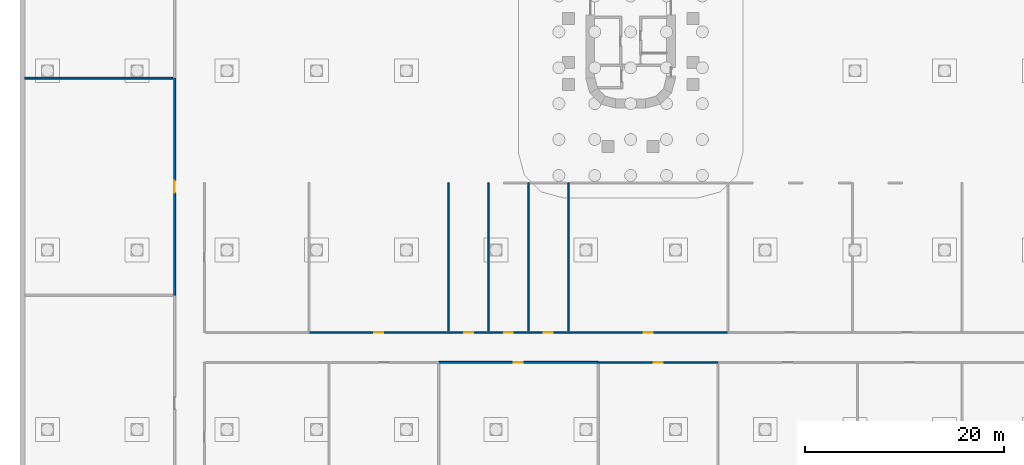
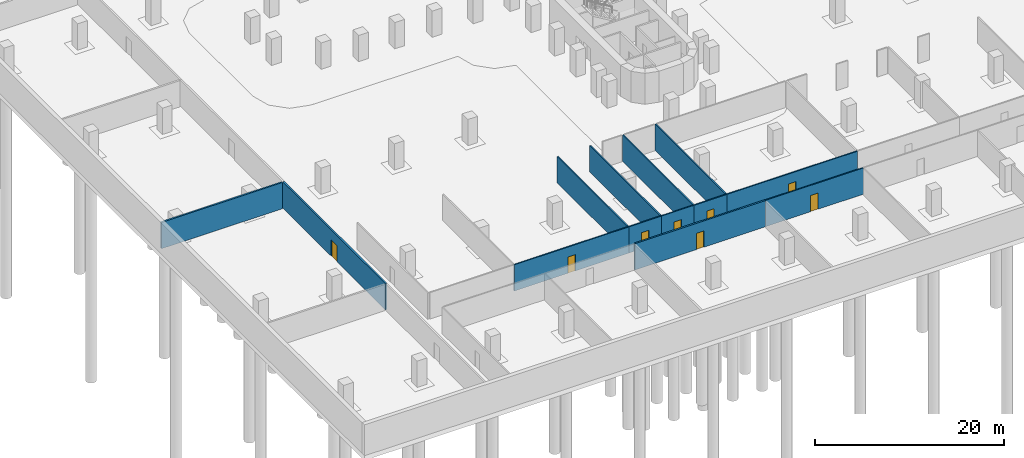
# One storey, part 6 of 14: 13 walls, 8 doors, 8 openings.
"""IFC4 building model written with IfcOpenShell, lengths in metres."""

from ifc_helpers import new_model, si_unit, direction, frame, frame_2d, origin, place, context, subcontext, project, spatial, rectangle, extrude, material, layer, layer_set, type_object, element, fill, save


model = new_model("IFC4")

# Units and contexts
model_context = context("Model", 3, precision=1e-05, world=origin(), true_north=direction((0.0, 1.0)))
body_context = subcontext(model_context, "Body", "Model", "MODEL_VIEW")
ifc_project = project(units=[si_unit("LENGTHUNIT", "METRE"), si_unit("AREAUNIT", "SQUARE_METRE"), si_unit("VOLUMEUNIT", "CUBIC_METRE"), si_unit("PLANEANGLEUNIT", "RADIAN"), si_unit("MASSUNIT", "GRAM", prefix="KILO")], contexts=[model_context])

# Site, building, storey
site_placement = place(None, origin())
site = spatial("IfcSite", under=ifc_project, at=site_placement, CompositionType="ELEMENT")
building_placement = place(site_placement, origin())
building = spatial("IfcBuilding", under=site, at=building_placement, Name="Zarbagh Exchange Tower", CompositionType="ELEMENT")
storey_placement = place(building_placement, frame((0.0, 0.0, -8.0)))
storey = spatial("IfcBuildingStorey", under=building, at=storey_placement, Name="B2", CompositionType="ELEMENT", Elevation=-8.0)

# Wall, opening, door
ifc_material_1 = material(Name="Plasterboard partition")
ifc_layer_1 = layer(ifc_material_1, 0.14990234375)
ifc_layer_set_1 = layer_set([ifc_layer_1], Name="Board partition 150")
wall_type_1 = type_object("IfcWallType", Name="Board partition 150", PredefinedType="PARTITIONING", material=ifc_layer_set_1)
wall_1_placement = place(storey_placement, frame((8.75, -54.75, 0.0), z_axis=(0.0, 0.0, 1.0), x_axis=(-1.0, 0.0, 0.0)))
wall_1 = element("IfcWall", 1, at=wall_1_placement, inside=storey, type_object=wall_type_1, Name="WL-B2-W017", PredefinedType="PARTITIONING", context=body_context, shape_type="SweptSolid", body=[
    extrude(rectangle(XDim=12.0, YDim=0.14990234375, at=frame_2d((6.0, 0.0))), origin(), (0.0, 0.0, 1.0), 3.39990234375),
])
opening_1_placement = place(wall_1_placement, frame((5.550048828125, 0.0, 0.0)))
opening_1 = element("IfcOpeningElement", 2, at=opening_1_placement, cuts=wall_1, Name="Opening D11", PredefinedType="OPENING", context=body_context, shape_type="SweptSolid", body=[
    extrude(rectangle(XDim=0.89990234375, YDim=2.10009765625, at=frame_2d((0.449951171875, 1.050048828125))), frame((0.0, 0.0849609375, 0.0), z_axis=(0.0, -1.0, 0.0), x_axis=(1.0, 0.0, 0.0)), (0.0, 0.0, 1.0), 0.169921875),
])
ifc_material_2 = material(Name="Timber door leaf", Category="wood")
door_type_1 = type_object("IfcDoorType", Name="Door single 900x2100", OperationType="SINGLE_SWING_LEFT", PredefinedType="DOOR", material=ifc_material_2)
door_1_placement = place(opening_1_placement, origin())
door_1 = element("IfcDoor", 3, at=door_1_placement, inside=storey, type_object=door_type_1, Name="D11", OperationType="SINGLE_SWING_LEFT", OverallHeight=2.10009765625, OverallWidth=0.89990234375, PredefinedType="DOOR", context=body_context, shape_type="SweptSolid", body=[
    extrude(rectangle(XDim=0.89990234375, YDim=2.10009765625, at=frame_2d((0.449951171875, 1.050048828125))), frame((0.0, 0.02490234375, 0.0), z_axis=(0.0, -1.0, 0.0), x_axis=(1.0, 0.0, 0.0)), (0.0, 0.0, 1.0), 0.050048828125),
])
fill(opening_1, door_1)

wall_2_placement = place(storey_placement, frame((-32.25, -51.75, 0.0), z_axis=(0.0, 0.0, 1.0), x_axis=(1.0, 0.0, 0.0)))
wall_2 = element("IfcWall", 4, at=wall_2_placement, inside=storey, type_object=wall_type_1, Name="WL-B2-W022", PredefinedType="PARTITIONING", context=body_context, shape_type="SweptSolid", body=[
    extrude(rectangle(XDim=14.0, YDim=0.14990234375, at=frame_2d((7.0, 0.0))), origin(), (0.0, 0.0, 1.0), 3.39990234375),
])
opening_2_placement = place(wall_2_placement, frame((6.550048828125, 0.0, 0.0)))
opening_2 = element("IfcOpeningElement", 5, at=opening_2_placement, cuts=wall_2, Name="Opening D14", PredefinedType="OPENING", context=body_context, shape_type="SweptSolid", body=[
    extrude(rectangle(XDim=0.89990234375, YDim=2.10009765625, at=frame_2d((0.449951171875, 1.050048828125))), frame((0.0, 0.0849609375, 0.0), z_axis=(0.0, -1.0, 0.0), x_axis=(1.0, 0.0, 0.0)), (0.0, 0.0, 1.0), 0.169921875),
])
door_2_placement = place(opening_2_placement, origin())
door_2 = element("IfcDoor", 6, at=door_2_placement, inside=storey, type_object=door_type_1, Name="D14", OperationType="SINGLE_SWING_LEFT", OverallHeight=2.10009765625, OverallWidth=0.89990234375, PredefinedType="DOOR", context=body_context, shape_type="SweptSolid", body=[
    extrude(rectangle(XDim=0.89990234375, YDim=2.10009765625, at=frame_2d((0.449951171875, 1.050048828125))), frame((0.0, 0.02490234375, 0.0), z_axis=(0.0, -1.0, 0.0), x_axis=(1.0, 0.0, 0.0)), (0.0, 0.0, 1.0), 0.050048828125),
])
fill(opening_2, door_2)

wall_3_placement = place(storey_placement, frame((-18.25, -51.75, 0.0), z_axis=(0.0, 0.0, 1.0), x_axis=(1.0, 0.0, 0.0)))
wall_3 = element("IfcWall", 7, at=wall_3_placement, inside=storey, type_object=wall_type_1, Name="WL-B2-W023", PredefinedType="PARTITIONING", context=body_context, shape_type="SweptSolid", body=[
    extrude(rectangle(XDim=4.0, YDim=0.14990234375, at=frame_2d((2.0, 0.0))), origin(), (0.0, 0.0, 1.0), 3.39990234375),
])
opening_3_placement = place(wall_3_placement, frame((1.550048828125, 0.0, 0.0)))
opening_3 = element("IfcOpeningElement", 8, at=opening_3_placement, cuts=wall_3, Name="Opening D15", PredefinedType="OPENING", context=body_context, shape_type="SweptSolid", body=[
    extrude(rectangle(XDim=0.89990234375, YDim=2.10009765625, at=frame_2d((0.449951171875, 1.050048828125))), frame((0.0, 0.0849609375, 0.0), z_axis=(0.0, -1.0, 0.0), x_axis=(1.0, 0.0, 0.0)), (0.0, 0.0, 1.0), 0.169921875),
])
door_3_placement = place(opening_3_placement, origin())
door_3 = element("IfcDoor", 9, at=door_3_placement, inside=storey, type_object=door_type_1, Name="D15", OperationType="SINGLE_SWING_LEFT", OverallHeight=2.10009765625, OverallWidth=0.89990234375, PredefinedType="DOOR", context=body_context, shape_type="SweptSolid", body=[
    extrude(rectangle(XDim=0.89990234375, YDim=2.10009765625, at=frame_2d((0.449951171875, 1.050048828125))), frame((0.0, 0.02490234375, 0.0), z_axis=(0.0, -1.0, 0.0), x_axis=(1.0, 0.0, 0.0)), (0.0, 0.0, 1.0), 0.050048828125),
])
fill(opening_3, door_3)

wall_4_placement = place(storey_placement, frame((-14.25, -51.75, 0.0), z_axis=(0.0, 0.0, 1.0), x_axis=(1.0, 0.0, 0.0)))
wall_4 = element("IfcWall", 10, at=wall_4_placement, inside=storey, type_object=wall_type_1, Name="WL-B2-W024", PredefinedType="PARTITIONING", context=body_context, shape_type="SweptSolid", body=[
    extrude(rectangle(XDim=4.0, YDim=0.14990234375, at=frame_2d((2.0, 0.0))), origin(), (0.0, 0.0, 1.0), 3.39990234375),
])
opening_4_placement = place(wall_4_placement, frame((1.550048828125, 0.0, 0.0)))
opening_4 = element("IfcOpeningElement", 11, at=opening_4_placement, cuts=wall_4, Name="Opening D16", PredefinedType="OPENING", context=body_context, shape_type="SweptSolid", body=[
    extrude(rectangle(XDim=0.89990234375, YDim=2.10009765625, at=frame_2d((0.449951171875, 1.050048828125))), frame((0.0, 0.0849609375, 0.0), z_axis=(0.0, -1.0, 0.0), x_axis=(1.0, 0.0, 0.0)), (0.0, 0.0, 1.0), 0.169921875),
])
door_4_placement = place(opening_4_placement, origin())
door_4 = element("IfcDoor", 12, at=door_4_placement, inside=storey, type_object=door_type_1, Name="D16", OperationType="SINGLE_SWING_LEFT", OverallHeight=2.10009765625, OverallWidth=0.89990234375, PredefinedType="DOOR", context=body_context, shape_type="SweptSolid", body=[
    extrude(rectangle(XDim=0.89990234375, YDim=2.10009765625, at=frame_2d((0.449951171875, 1.050048828125))), frame((0.0, 0.02490234375, 0.0), z_axis=(0.0, -1.0, 0.0), x_axis=(1.0, 0.0, 0.0)), (0.0, 0.0, 1.0), 0.050048828125),
])
fill(opening_4, door_4)

wall_5_placement = place(storey_placement, frame((-10.25, -51.75, 0.0), z_axis=(0.0, 0.0, 1.0), x_axis=(1.0, 0.0, 0.0)))
wall_5 = element("IfcWall", 13, at=wall_5_placement, inside=storey, type_object=wall_type_1, Name="WL-B2-W025", PredefinedType="PARTITIONING", context=body_context, shape_type="SweptSolid", body=[
    extrude(rectangle(XDim=4.0, YDim=0.14990234375, at=frame_2d((2.0, 0.0))), origin(), (0.0, 0.0, 1.0), 3.39990234375),
])
opening_5_placement = place(wall_5_placement, frame((1.550048828125, 0.0, 0.0)))
opening_5 = element("IfcOpeningElement", 14, at=opening_5_placement, cuts=wall_5, Name="Opening D17", PredefinedType="OPENING", context=body_context, shape_type="SweptSolid", body=[
    extrude(rectangle(XDim=0.89990234375, YDim=2.10009765625, at=frame_2d((0.449951171875, 1.050048828125))), frame((0.0, 0.0849609375, 0.0), z_axis=(0.0, -1.0, 0.0), x_axis=(1.0, 0.0, 0.0)), (0.0, 0.0, 1.0), 0.169921875),
])
door_5_placement = place(opening_5_placement, origin())
door_5 = element("IfcDoor", 15, at=door_5_placement, inside=storey, type_object=door_type_1, Name="D17", OperationType="SINGLE_SWING_LEFT", OverallHeight=2.10009765625, OverallWidth=0.89990234375, PredefinedType="DOOR", context=body_context, shape_type="SweptSolid", body=[
    extrude(rectangle(XDim=0.89990234375, YDim=2.10009765625, at=frame_2d((0.449951171875, 1.050048828125))), frame((0.0, 0.02490234375, 0.0), z_axis=(0.0, -1.0, 0.0), x_axis=(1.0, 0.0, 0.0)), (0.0, 0.0, 1.0), 0.050048828125),
])
fill(opening_5, door_5)

wall_6_placement = place(storey_placement, frame((-6.25, -51.75, 0.0), z_axis=(0.0, 0.0, 1.0), x_axis=(1.0, 0.0, 0.0)))
wall_6 = element("IfcWall", 16, at=wall_6_placement, inside=storey, type_object=wall_type_1, Name="WL-B2-W026", PredefinedType="PARTITIONING", context=body_context, shape_type="SweptSolid", body=[
    extrude(rectangle(XDim=16.0, YDim=0.14990234375, at=frame_2d((8.0, 0.0))), origin(), (0.0, 0.0, 1.0), 3.39990234375),
])
opening_6_placement = place(wall_6_placement, frame((7.550048828125, 0.0, 0.0)))
opening_6 = element("IfcOpeningElement", 17, at=opening_6_placement, cuts=wall_6, Name="Opening D18", PredefinedType="OPENING", context=body_context, shape_type="SweptSolid", body=[
    extrude(rectangle(XDim=0.89990234375, YDim=2.10009765625, at=frame_2d((0.449951171875, 1.050048828125))), frame((0.0, 0.0849609375, 0.0), z_axis=(0.0, -1.0, 0.0), x_axis=(1.0, 0.0, 0.0)), (0.0, 0.0, 1.0), 0.169921875),
])
door_6_placement = place(opening_6_placement, origin())
door_6 = element("IfcDoor", 18, at=door_6_placement, inside=storey, type_object=door_type_1, Name="D18", OperationType="SINGLE_SWING_LEFT", OverallHeight=2.10009765625, OverallWidth=0.89990234375, PredefinedType="DOOR", context=body_context, shape_type="SweptSolid", body=[
    extrude(rectangle(XDim=0.89990234375, YDim=2.10009765625, at=frame_2d((0.449951171875, 1.050048828125))), frame((0.0, 0.02490234375, 0.0), z_axis=(0.0, -1.0, 0.0), x_axis=(1.0, 0.0, 0.0)), (0.0, 0.0, 1.0), 0.050048828125),
])
fill(opening_6, door_6)

# Walls
for number, where, z_axis, x_axis, name in (
    (19, (-18.25, -36.75, 0.0), (0.0, 0.0, 1.0), (0.0, -1.0, 0.0), "WL-B2-W039"),
    (20, (-14.25, -36.75, 0.0), (0.0, 0.0, 1.0), (0.0, -1.0, 0.0), "WL-B2-W040"),
    (21, (-10.25, -36.75, 0.0), (0.0, 0.0, 1.0), (0.0, -1.0, 0.0), "WL-B2-W041"),
    (22, (-6.25, -36.75, 0.0), (0.0, 0.0, 1.0), (0.0, -1.0, 0.0), "WL-B2-W043"),
):
    element("IfcWall", number, at=place(storey_placement, frame(where, z_axis=z_axis, x_axis=x_axis)), inside=storey, type_object=wall_type_1, Name=name, PredefinedType="PARTITIONING", context=body_context, shape_type="SweptSolid", body=[
        extrude(rectangle(XDim=14.85009765625, YDim=0.14990234375, at=frame_2d((7.425048828125, 0.0))), origin(), (0.0, 0.0, 1.0), 3.39990234375),
    ])

# Wall, opening, door
ifc_material_3 = material(Name="Concrete block partition", Category="concrete")
ifc_layer_2 = layer(ifc_material_3, 0.199951171875)
ifc_layer_set_2 = layer_set([ifc_layer_2], Name="Fire-rated block partition 200 EI 120")
wall_type_2 = type_object("IfcWallType", Name="Fire-rated block partition 200 EI 120", PredefinedType="PARTITIONING", material=ifc_layer_set_2)
wall_7_placement = place(storey_placement, frame((-45.75, -48.0, 0.0), z_axis=(0.0, 0.0, 1.0), x_axis=(0.0, 1.0, 0.0)))
wall_7 = element("IfcWall", 23, at=wall_7_placement, inside=storey, type_object=wall_type_2, Name="WL-B2-W002", PredefinedType="PARTITIONING", context=body_context, shape_type="SweptSolid", body=[
    extrude(rectangle(XDim=21.75, YDim=0.199951171875, at=frame_2d((10.875, 0.0))), origin(), (0.0, 0.0, 1.0), 3.39990234375),
])
opening_7_placement = place(wall_7_placement, frame((10.27490234375, 0.0, 0.0)))
opening_7 = element("IfcOpeningElement", 24, at=opening_7_placement, cuts=wall_7, Name="Opening D33", PredefinedType="OPENING", context=body_context, shape_type="SweptSolid", body=[
    extrude(rectangle(XDim=1.199951171875, YDim=2.10009765625, at=frame_2d((0.60009765625, 1.050048828125))), frame((0.0, 0.10986328125, 0.0), z_axis=(0.0, -1.0, 0.0), x_axis=(1.0, 0.0, 0.0)), (0.0, 0.0, 1.0), 0.219970703125),
])
ifc_material_4 = material(Name="Steel door set", Category="steel")
door_type_2 = type_object("IfcDoorType", Name="Door single 1200x2100 EI 120", OperationType="SINGLE_SWING_LEFT", PredefinedType="DOOR", material=ifc_material_4)
door_7_placement = place(opening_7_placement, origin())
door_7 = element("IfcDoor", 25, at=door_7_placement, inside=storey, type_object=door_type_2, Name="D02", OperationType="SINGLE_SWING_LEFT", OverallHeight=2.10009765625, OverallWidth=1.199951171875, PredefinedType="DOOR", context=body_context, shape_type="SweptSolid", body=[
    extrude(rectangle(XDim=1.199951171875, YDim=2.10009765625, at=frame_2d((0.60009765625, 1.050048828125))), frame((0.0, 0.02490234375, 0.0), z_axis=(0.0, -1.0, 0.0), x_axis=(1.0, 0.0, 0.0)), (0.0, 0.0, 1.0), 0.050048828125),
])
fill(opening_7, door_7)

# Wall
wall_8_placement = place(storey_placement, frame((-60.75, -26.25, 0.0), z_axis=(0.0, 0.0, 1.0), x_axis=(1.0, 0.0, 0.0)))
element("IfcWall", 26, at=wall_8_placement, inside=storey, type_object=wall_type_2, Name="WL-B2-W010", PredefinedType="PARTITIONING", context=body_context, shape_type="SweptSolid", body=[
    extrude(rectangle(XDim=14.800048828125, YDim=0.199951171875, at=frame_2d((7.39990234375, 0.0))), origin(), (0.0, 0.0, 1.0), 3.39990234375),
])

# Wall, opening, door
ifc_layer_3 = layer(ifc_material_3, 0.199951171875)
ifc_layer_set_3 = layer_set([ifc_layer_3], Name="Fire-rated block partition 200 EI 60")
wall_type_3 = type_object("IfcWallType", Name="Fire-rated block partition 200 EI 60", PredefinedType="PARTITIONING", material=ifc_layer_set_3)
wall_9_placement = place(storey_placement, frame((-3.25, -54.75, 0.0), z_axis=(0.0, 0.0, 1.0), x_axis=(-1.0, 0.0, 0.0)))
wall_9 = element("IfcWall", 27, at=wall_9_placement, inside=storey, type_object=wall_type_3, Name="WL-B2-W016", PredefinedType="PARTITIONING", context=body_context, shape_type="SweptSolid", body=[
    extrude(rectangle(XDim=16.0, YDim=0.199951171875, at=frame_2d((8.0, 0.0))), origin(), (0.0, 0.0, 1.0), 3.39990234375),
])
opening_8_placement = place(wall_9_placement, frame((7.550048828125, 0.0, 0.0)))
opening_8 = element("IfcOpeningElement", 28, at=opening_8_placement, cuts=wall_9, Name="Opening D54", PredefinedType="OPENING", context=body_context, shape_type="SweptSolid", body=[
    extrude(rectangle(XDim=0.89990234375, YDim=2.10009765625, at=frame_2d((0.449951171875, 1.050048828125))), frame((0.0, 0.10986328125, 0.0), z_axis=(0.0, -1.0, 0.0), x_axis=(1.0, 0.0, 0.0)), (0.0, 0.0, 1.0), 0.219970703125),
])
door_type_3 = type_object("IfcDoorType", Name="Door single 900x2100 EI 60", OperationType="SINGLE_SWING_LEFT", PredefinedType="DOOR", material=ifc_material_4)
door_8_placement = place(opening_8_placement, origin())
door_8 = element("IfcDoor", 29, at=door_8_placement, inside=storey, type_object=door_type_3, Name="D10", OperationType="SINGLE_SWING_LEFT", OverallHeight=2.10009765625, OverallWidth=0.89990234375, PredefinedType="DOOR", context=body_context, shape_type="SweptSolid", body=[
    extrude(rectangle(XDim=0.89990234375, YDim=2.10009765625, at=frame_2d((0.449951171875, 1.050048828125))), frame((0.0, 0.02490234375, 0.0), z_axis=(0.0, -1.0, 0.0), x_axis=(1.0, 0.0, 0.0)), (0.0, 0.0, 1.0), 0.050048828125),
])
fill(opening_8, door_8)

save(model, "model.ifc")
